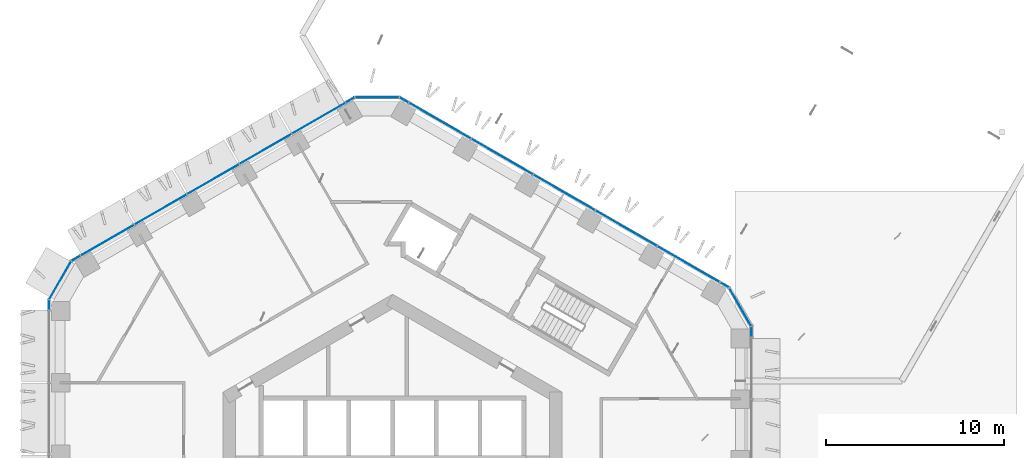
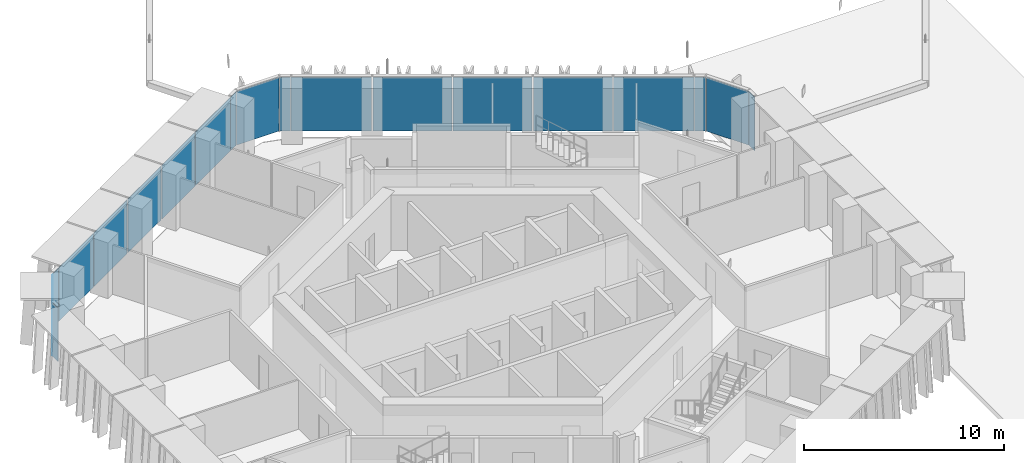
# One storey, part 13 of 25: 19 plates, 5 elements without a shape of their own.
"""IFC4 building model written with IfcOpenShell, lengths in metres."""

from ifc_helpers import new_model, si_unit, direction, frame, origin, origin_2d, place, context, subcontext, project, spatial, rectangle, extrude, material, layer, layer_set, type_object, element, aggregate, save


model = new_model("IFC4")

# Units and contexts
model_context = context("Model", 3, precision=1e-05, world=origin(), true_north=direction((0.0, 1.0)))
body_context = subcontext(model_context, "Body", "Model", "MODEL_VIEW")
ifc_project = project(units=[si_unit("LENGTHUNIT", "METRE"), si_unit("AREAUNIT", "SQUARE_METRE"), si_unit("VOLUMEUNIT", "CUBIC_METRE"), si_unit("PLANEANGLEUNIT", "RADIAN"), si_unit("MASSUNIT", "GRAM", prefix="KILO")], contexts=[model_context])

# Site, building, storey
site_placement = place(None, origin())
site = spatial("IfcSite", under=ifc_project, at=site_placement, CompositionType="ELEMENT")
building_placement = place(site_placement, origin())
building = spatial("IfcBuilding", under=site, at=building_placement, Name="Ayvan Gate Tower", CompositionType="ELEMENT")
storey_placement = place(building_placement, frame((0.0, 0.0, 132.5)))
storey = spatial("IfcBuildingStorey", under=building, at=storey_placement, Name="L35", CompositionType="ELEMENT", Elevation=132.5)

# Curtain wall, plates
ifc_material_1 = material(Name="Bronze anodised aluminium", Category="aluminium")
ifc_layer_1 = layer(ifc_material_1, 0.199951171875)
ifc_layer_set_1 = layer_set([ifc_layer_1], Name="Bronze anodised aluminium")
curtain_wall_type_1 = type_object("IfcCurtainWallType", Name="Stick curtain wall CW-1", PredefinedType="NOTDEFINED", material=ifc_layer_set_1)
curtain_wall_1_placement = place(storey_placement, origin())
curtain_wall_1 = element("IfcCurtainWall", 1, at=curtain_wall_1_placement, inside=storey, type_object=curtain_wall_type_1, Name="Stick curtain wall CW-1 L35", PredefinedType="NOTDEFINED")
ifc_material_2 = material(Name="Clear low-iron laminated glass", Category="glass")
ifc_layer_2 = layer(ifc_material_2, 0.028076171875)
ifc_layer_set_2 = layer_set([ifc_layer_2], Name="Clear low-iron laminated glass")
plate_type_1 = type_object("IfcPlateType", Name="Stick curtain wall CW-1 glass panel", PredefinedType="CURTAIN_PANEL", material=ifc_layer_set_2)
plate_1_placement = place(storey_placement, frame((-7.114990234375, 19.11376953125, 0.0), z_axis=(0.0, 0.0, 1.0), x_axis=(-0.866025403784, -0.5, 0.0)))
plate_1 = element("IfcPlate", 2, at=plate_1_placement, type_object=plate_type_1, Name="CW-1 glass panel 2", PredefinedType="CURTAIN_PANEL", context=body_context, shape_type="SweptSolid", body=[
    extrude(rectangle(XDim=3.3349609375, YDim=0.028076171875, at=origin_2d()), origin(), (0.0, 0.0, 1.0), 3.280029296875),
])
plate_2_placement = place(storey_placement, frame((-10.05517578125, 17.416259765625, 0.0), z_axis=(0.0, 0.0, 1.0), x_axis=(-0.866025403784, -0.5, 0.0)))
plate_2 = element("IfcPlate", 3, at=plate_2_placement, type_object=plate_type_1, Name="CW-1 glass panel 3", PredefinedType="CURTAIN_PANEL", context=body_context, shape_type="SweptSolid", body=[
    extrude(rectangle(XDim=3.3349609375, YDim=0.028076171875, at=origin_2d()), origin(), (0.0, 0.0, 1.0), 3.280029296875),
])
plate_3_placement = place(storey_placement, frame((-12.995361328125, 15.71875, 0.0), z_axis=(0.0, 0.0, 1.0), x_axis=(-0.866025403784, -0.5, 0.0)))
plate_3 = element("IfcPlate", 4, at=plate_3_placement, type_object=plate_type_1, Name="CW-1 glass panel 4", PredefinedType="CURTAIN_PANEL", context=body_context, shape_type="SweptSolid", body=[
    extrude(rectangle(XDim=3.3349609375, YDim=0.028076171875, at=origin_2d()), origin(), (0.0, 0.0, 1.0), 3.280029296875),
])
plate_4_placement = place(storey_placement, frame((-15.986328125, 13.991943359375, 0.0), z_axis=(0.0, 0.0, 1.0), x_axis=(-0.866025403784, -0.5, 0.0)))
plate_4 = element("IfcPlate", 5, at=plate_4_placement, type_object=plate_type_1, Name="CW-1 glass panel 5", PredefinedType="CURTAIN_PANEL", context=body_context, shape_type="SweptSolid", body=[
    extrude(rectangle(XDim=3.4521484375, YDim=0.028076171875, at=origin_2d()), origin(), (0.0, 0.0, 1.0), 3.280029296875),
])

curtain_wall_2_placement = place(storey_placement, origin())
curtain_wall_2 = element("IfcCurtainWall", 6, at=curtain_wall_2_placement, inside=storey, type_object=curtain_wall_type_1, Name="Stick curtain wall CW-1 L35", PredefinedType="NOTDEFINED")
plate_5_placement = place(storey_placement, frame((16.603515625, 12.639892578125, 0.0), z_axis=(0.0, 0.0, 1.0), x_axis=(-0.866025403784, 0.5, 0.0)))
plate_5 = element("IfcPlate", 7, at=plate_5_placement, type_object=plate_type_1, Name="CW-1 glass panel 1", PredefinedType="CURTAIN_PANEL", context=body_context, shape_type="SweptSolid", body=[
    extrude(rectangle(XDim=4.01806640625, YDim=0.028076171875, at=origin_2d()), origin(), (0.0, 0.0, 1.0), 3.280029296875),
])
plate_6_placement = place(storey_placement, frame((13.10009765625, 14.662841796875, 0.0), z_axis=(0.0, 0.0, 1.0), x_axis=(-0.866025403784, 0.5, 0.0)))
plate_6 = element("IfcPlate", 8, at=plate_6_placement, type_object=plate_type_1, Name="CW-1 glass panel 2", PredefinedType="CURTAIN_PANEL", context=body_context, shape_type="SweptSolid", body=[
    extrude(rectangle(XDim=3.952880859375, YDim=0.028076171875, at=origin_2d()), origin(), (0.0, 0.0, 1.0), 3.280029296875),
])
plate_7_placement = place(storey_placement, frame((9.624267578125, 16.66943359375, 0.0), z_axis=(0.0, 0.0, 1.0), x_axis=(-0.866025403784, 0.5, 0.0)))
plate_7 = element("IfcPlate", 9, at=plate_7_placement, type_object=plate_type_1, Name="CW-1 glass panel 3", PredefinedType="CURTAIN_PANEL", context=body_context, shape_type="SweptSolid", body=[
    extrude(rectangle(XDim=3.9541015625, YDim=0.028076171875, at=origin_2d()), origin(), (0.0, 0.0, 1.0), 3.280029296875),
])
plate_8_placement = place(storey_placement, frame((6.1484375, 18.67626953125, 0.0), z_axis=(0.0, 0.0, 1.0), x_axis=(-0.866025403784, 0.5, 0.0)))
plate_8 = element("IfcPlate", 10, at=plate_8_placement, type_object=plate_type_1, Name="CW-1 glass panel 4", PredefinedType="CURTAIN_PANEL", context=body_context, shape_type="SweptSolid", body=[
    extrude(rectangle(XDim=3.952880859375, YDim=0.028076171875, at=origin_2d()), origin(), (0.0, 0.0, 1.0), 3.280029296875),
])
plate_9_placement = place(storey_placement, frame((2.644775390625, 20.698974609375, 0.0), z_axis=(0.0, 0.0, 1.0), x_axis=(-0.866025403784, 0.5, 0.0)))
plate_9 = element("IfcPlate", 11, at=plate_9_placement, type_object=plate_type_1, Name="CW-1 glass panel 5", PredefinedType="CURTAIN_PANEL", context=body_context, shape_type="SweptSolid", body=[
    extrude(rectangle(XDim=4.01806640625, YDim=0.028076171875, at=origin_2d()), origin(), (0.0, 0.0, 1.0), 3.280029296875),
])
aggregate(curtain_wall_2, [plate_5, plate_6, plate_7, plate_8, plate_9])

# Plate
ifc_material_3 = material(Name="Pale anodised aluminium composite panel", Category="aluminium")
ifc_layer_3 = layer(ifc_material_3, 0.028076171875)
ifc_layer_set_3 = layer_set([ifc_layer_3], Name="Pale anodised aluminium composite panel")
plate_type_2 = type_object("IfcPlateType", Name="Stick curtain wall CW-1 solid panel", PredefinedType="CURTAIN_PANEL", material=ifc_layer_set_3)
plate_10_placement = place(storey_placement, frame((-4.124267578125, 20.840576171875, 0.0), z_axis=(0.0, 0.0, 1.0), x_axis=(-0.866025403784, -0.5, 0.0)))
plate_10 = element("IfcPlate", 12, at=plate_10_placement, type_object=plate_type_2, Name="CW-1 solid panel 1", PredefinedType="CURTAIN_PANEL", context=body_context, shape_type="SweptSolid", body=[
    extrude(rectangle(XDim=3.451904296875, YDim=0.028076171875, at=origin_2d()), origin(), (0.0, 0.0, 1.0), 3.280029296875),
])

aggregate(curtain_wall_1, [plate_10, plate_1, plate_2, plate_3, plate_4])

# Curtain wall, plates
ifc_layer_4 = layer(ifc_material_1, 0.199951171875)
ifc_layer_set_4 = layer_set([ifc_layer_4], Name="Bronze anodised aluminium")
curtain_wall_type_2 = type_object("IfcCurtainWallType", Name="Stick curtain wall CW-6", PredefinedType="NOTDEFINED", material=ifc_layer_set_4)
curtain_wall_3_placement = place(storey_placement, origin())
curtain_wall_3 = element("IfcCurtainWall", 13, at=curtain_wall_3_placement, inside=storey, type_object=curtain_wall_type_2, Name="Stick curtain wall CW-6 L35", PredefinedType="NOTDEFINED")
ifc_layer_5 = layer(ifc_material_2, 0.028076171875)
ifc_layer_set_5 = layer_set([ifc_layer_5], Name="Clear low-iron laminated glass")
plate_type_3 = type_object("IfcPlateType", Name="Stick curtain wall CW-6 glass panel", PredefinedType="CURTAIN_PANEL", material=ifc_layer_set_5)
plate_11_placement = place(storey_placement, frame((-17.7451171875, 12.9765625, 0.0), z_axis=(0.0, 0.0, 1.0), x_axis=(-0.866025403784, -0.5, 0.0)))
plate_11 = element("IfcPlate", 14, at=plate_11_placement, type_object=plate_type_3, Name="CW-6 glass panel 1", PredefinedType="CURTAIN_PANEL", context=body_context, shape_type="SweptSolid", body=[
    extrude(rectangle(XDim=0.550048828125, YDim=0.028076171875, at=origin_2d()), origin(), (0.0, 0.0, 1.0), 3.280029296875),
])
plate_12_placement = place(storey_placement, frame((-18.626708984375, 11.749755859375, 0.0), z_axis=(0.0, 0.0, 1.0), x_axis=(-0.5, -0.866025403784, 0.0)))
plate_12 = element("IfcPlate", 15, at=plate_12_placement, type_object=plate_type_3, Name="CW-6 glass panel 2", PredefinedType="CURTAIN_PANEL", context=body_context, shape_type="SweptSolid", body=[
    extrude(rectangle(XDim=2.4365234375, YDim=0.028076171875, at=origin_2d()), origin(), (0.0, 0.0, 1.0), 3.280029296875),
])
plate_13_placement = place(storey_placement, frame((-19.248291015625, 10.373046875, 0.0), z_axis=(0.0, 0.0, 1.0), x_axis=(0.0, -1.0, 0.0)))
plate_13 = element("IfcPlate", 16, at=plate_13_placement, type_object=plate_type_3, Name="CW-6 glass panel 3", PredefinedType="CURTAIN_PANEL", context=body_context, shape_type="SweptSolid", body=[
    extrude(rectangle(XDim=0.550048828125, YDim=0.028076171875, at=origin_2d()), origin(), (0.0, 0.0, 1.0), 3.280029296875),
])
aggregate(curtain_wall_3, [plate_11, plate_12, plate_13])

curtain_wall_4_placement = place(storey_placement, origin())
curtain_wall_4 = element("IfcCurtainWall", 17, at=curtain_wall_4_placement, inside=storey, type_object=curtain_wall_type_2, Name="Stick curtain wall CW-6 L35", PredefinedType="NOTDEFINED")
plate_14_placement = place(storey_placement, frame((20.110595703125, 8.879638671875, 0.0), z_axis=(0.0, 0.0, 1.0), x_axis=(0.0, 1.0, 0.0)))
plate_14 = element("IfcPlate", 18, at=plate_14_placement, type_object=plate_type_3, Name="CW-6 glass panel 1", PredefinedType="CURTAIN_PANEL", context=body_context, shape_type="SweptSolid", body=[
    extrude(rectangle(XDim=0.550048828125, YDim=0.028076171875, at=origin_2d()), origin(), (0.0, 0.0, 1.0), 3.280029296875),
])
plate_15_placement = place(storey_placement, frame((19.489013671875, 10.25634765625, 0.0), z_axis=(0.0, 0.0, 1.0), x_axis=(-0.5, 0.866025403784, 0.0)))
plate_15 = element("IfcPlate", 19, at=plate_15_placement, type_object=plate_type_3, Name="CW-6 glass panel 2", PredefinedType="CURTAIN_PANEL", context=body_context, shape_type="SweptSolid", body=[
    extrude(rectangle(XDim=2.4365234375, YDim=0.028076171875, at=origin_2d()), origin(), (0.0, 0.0, 1.0), 3.280029296875),
])
plate_16_placement = place(storey_placement, frame((18.607421875, 11.48291015625, 0.0), z_axis=(0.0, 0.0, 1.0), x_axis=(-0.866025403784, 0.5, 0.0)))
plate_16 = element("IfcPlate", 20, at=plate_16_placement, type_object=plate_type_3, Name="CW-6 glass panel 3", PredefinedType="CURTAIN_PANEL", context=body_context, shape_type="SweptSolid", body=[
    extrude(rectangle(XDim=0.550048828125, YDim=0.028076171875, at=origin_2d()), origin(), (0.0, 0.0, 1.0), 3.280029296875),
])
aggregate(curtain_wall_4, [plate_14, plate_15, plate_16])

curtain_wall_5_placement = place(storey_placement, origin())
curtain_wall_5 = element("IfcCurtainWall", 21, at=curtain_wall_5_placement, inside=storey, type_object=curtain_wall_type_2, Name="Stick curtain wall CW-6 L35", PredefinedType="NOTDEFINED")
plate_17_placement = place(storey_placement, frame((0.640869140625, 21.85595703125, 0.0), z_axis=(0.0, 0.0, 1.0), x_axis=(-0.866025403784, 0.5, 0.0)))
plate_17 = element("IfcPlate", 22, at=plate_17_placement, type_object=plate_type_3, Name="CW-6 glass panel 1", PredefinedType="CURTAIN_PANEL", context=body_context, shape_type="SweptSolid", body=[
    extrude(rectangle(XDim=0.550048828125, YDim=0.028076171875, at=origin_2d()), origin(), (0.0, 0.0, 1.0), 3.280029296875),
])
plate_18_placement = place(storey_placement, frame((-0.8623046875, 22.006103515625, 0.0), z_axis=(0.0, 0.0, 1.0), x_axis=(-1.0, 0.0, 0.0)))
plate_18 = element("IfcPlate", 23, at=plate_18_placement, type_object=plate_type_3, Name="CW-6 glass panel 2", PredefinedType="CURTAIN_PANEL", context=body_context, shape_type="SweptSolid", body=[
    extrude(rectangle(XDim=2.4365234375, YDim=0.028076171875, at=origin_2d()), origin(), (0.0, 0.0, 1.0), 3.280029296875),
])
plate_19_placement = place(storey_placement, frame((-2.365478515625, 21.85595703125, 0.0), z_axis=(0.0, 0.0, 1.0), x_axis=(-0.866025403784, -0.5, 0.0)))
plate_19 = element("IfcPlate", 24, at=plate_19_placement, type_object=plate_type_3, Name="CW-6 glass panel 3", PredefinedType="CURTAIN_PANEL", context=body_context, shape_type="SweptSolid", body=[
    extrude(rectangle(XDim=0.550048828125, YDim=0.028076171875, at=origin_2d()), origin(), (0.0, 0.0, 1.0), 3.280029296875),
])
aggregate(curtain_wall_5, [plate_17, plate_18, plate_19])

save(model, "model.ifc")
